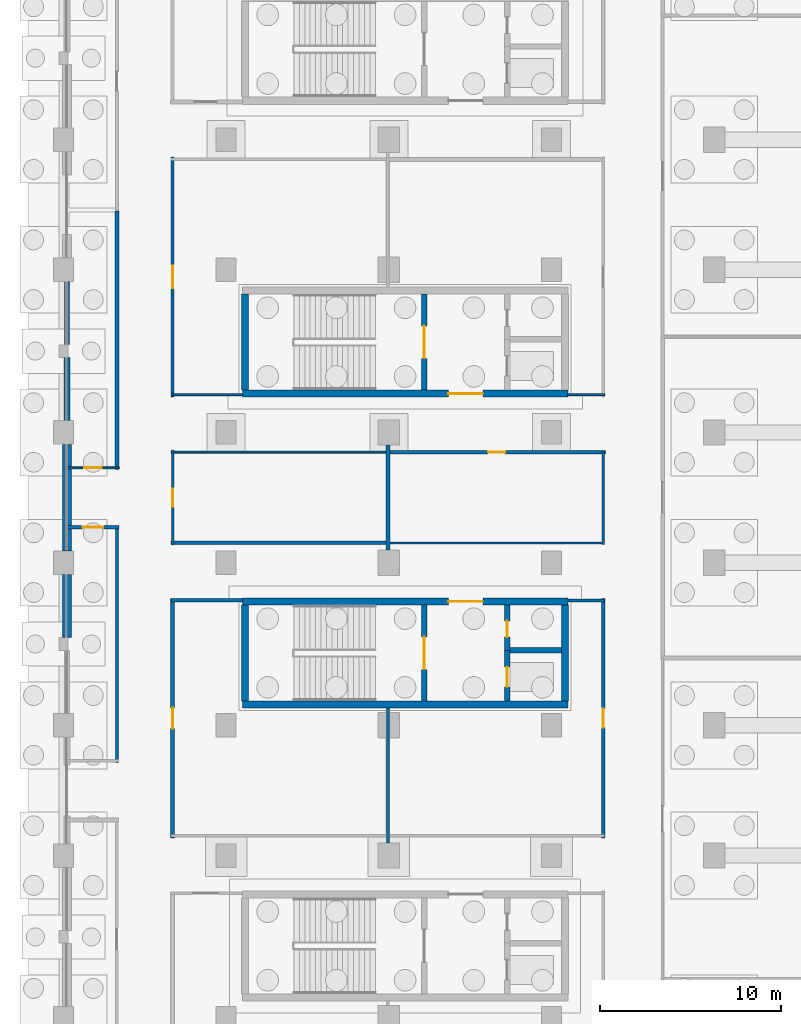
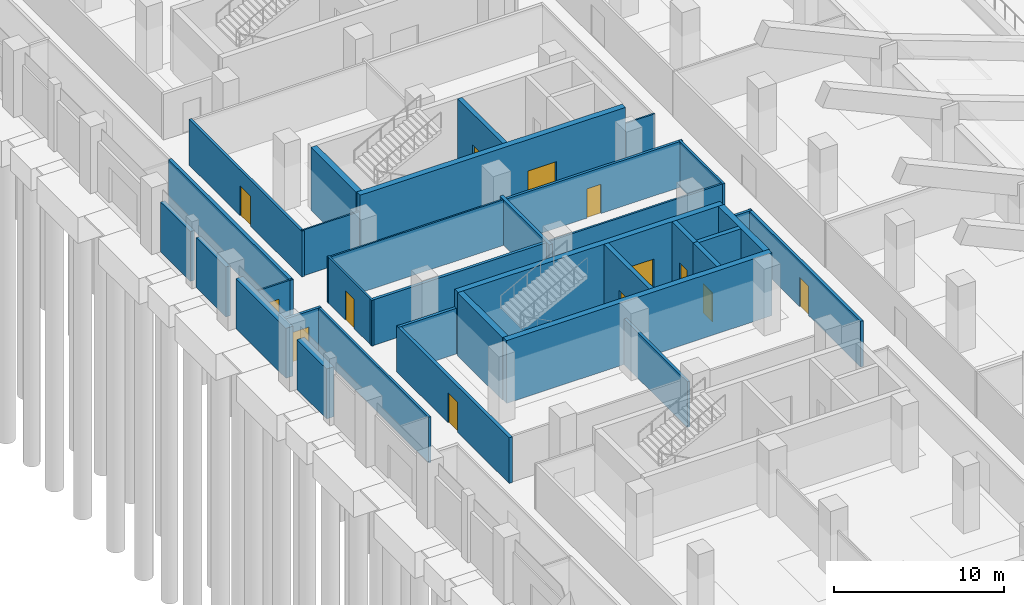
# One storey, part 19 of 53: 34 walls, 13 doors, 13 openings.
"""IFC4 building model written with IfcOpenShell, lengths in metres."""

from ifc_helpers import new_model, si_unit, direction, frame, frame_2d, origin, place, context, subcontext, project, spatial, rectangle, extrude, material, layer, layer_set, type_object, element, fill, save


model = new_model("IFC4")

# Units and contexts
model_context = context("Model", 3, precision=1e-05, world=origin(), true_north=direction((0.0, 1.0)))
body_context = subcontext(model_context, "Body", "Model", "MODEL_VIEW")
ifc_project = project(units=[si_unit("LENGTHUNIT", "METRE"), si_unit("AREAUNIT", "SQUARE_METRE"), si_unit("VOLUMEUNIT", "CUBIC_METRE"), si_unit("PLANEANGLEUNIT", "RADIAN"), si_unit("MASSUNIT", "GRAM", prefix="KILO"), si_unit("THERMODYNAMICTEMPERATUREUNIT", "KELVIN"), si_unit("POWERUNIT", "WATT")], contexts=[model_context])

# Site, building, storey
site_placement = place(None, origin())
site = spatial("IfcSite", under=ifc_project, at=site_placement, CompositionType="ELEMENT")
building_placement = place(site_placement, origin())
building = spatial("IfcBuilding", under=site, at=building_placement, Name="Sindhuravela Promenade Stadium", CompositionType="ELEMENT")
storey_placement = place(building_placement, origin())
storey = spatial("IfcBuildingStorey", under=building, at=storey_placement, Name="L00", CompositionType="ELEMENT", Elevation=0.0)

# Walls
ifc_material_1 = material(Name="Dholpur sandstone ashlar (45 MPa)", Category="masonry")
ifc_layer_1 = layer(ifc_material_1, 0.2900390625)
ifc_layer_set_1 = layer_set([ifc_layer_1], Name="Dholpur sandstone ashlar (45 MPa)")
wall_type_1 = type_object("IfcWallType", Name="EX-WL-SND290", PredefinedType="SOLIDWALL", material=ifc_layer_set_1)
wall_1_placement = place(storey_placement, frame((0.199951171875, 89.455078125, 0.0), z_axis=(0.0, 0.0, 1.0), x_axis=(0.0, 1.0, 0.0)))
element("IfcWall", 1, at=wall_1_placement, inside=storey, type_object=wall_type_1, Name="Exterior masonry wall EW10 WEST L00", PredefinedType="SOLIDWALL", context=body_context, shape_type="SweptSolid", body=[
    extrude(rectangle(XDim=3.489990234375, YDim=0.2900390625, at=frame_2d((1.7451171875, 0.0))), origin(), (0.0, 0.0, 1.0), 3.580078125),
])
ifc_layer_2 = layer(ifc_material_1, 0.31005859375)
ifc_layer_set_2 = layer_set([ifc_layer_2], Name="Dholpur sandstone ashlar (45 MPa)")
wall_type_2 = type_object("IfcWallType", Name="EX-WL-SND310", PredefinedType="SOLIDWALL", material=ifc_layer_set_2)
wall_2_placement = place(storey_placement, frame((0.199951171875, 85.2548828125, 0.0), z_axis=(0.0, 0.0, 1.0), x_axis=(0.0, 1.0, 0.0)))
element("IfcWall", 2, at=wall_2_placement, inside=storey, type_object=wall_type_2, Name="Exterior masonry wall EW09 WEST L00", PredefinedType="SOLIDWALL", context=body_context, shape_type="SweptSolid", body=[
    extrude(rectangle(XDim=3.490234375, YDim=0.31005859375, at=frame_2d((1.7451171875, 0.0))), origin(), (0.0, 0.0, 1.0), 3.580078125),
])
ifc_layer_3 = layer(ifc_material_1, 0.47998046875)
ifc_layer_set_3 = layer_set([ifc_layer_3], Name="Dholpur sandstone ashlar (45 MPa)")
wall_type_3 = type_object("IfcWallType", Name="EX-WL-SND480", PredefinedType="SOLIDWALL", material=ifc_layer_set_3)
wall_3_placement = place(storey_placement, frame((0.199951171875, 78.054931640625, 0.0), z_axis=(0.0, 0.0, 1.0), x_axis=(0.0, 1.0, 0.0)))
element("IfcWall", 3, at=wall_3_placement, inside=storey, type_object=wall_type_3, Name="Exterior masonry wall EW08 WEST L00", PredefinedType="SOLIDWALL", context=body_context, shape_type="SweptSolid", body=[
    extrude(rectangle(XDim=5.89013671875, YDim=0.47998046875, at=frame_2d((2.945068359375, 0.0))), origin(), (0.0, 0.0, 1.0), 3.580078125),
])
ifc_layer_4 = layer(ifc_material_1, 0.5)
ifc_layer_set_4 = layer_set([ifc_layer_4], Name="Dholpur sandstone ashlar (45 MPa)")
wall_type_4 = type_object("IfcWallType", Name="EX-WL-SND500", PredefinedType="SOLIDWALL", material=ifc_layer_set_4)
wall_4_placement = place(storey_placement, frame((0.199951171875, 73.2548828125, 0.0), z_axis=(0.0, 0.0, 1.0), x_axis=(0.0, 1.0, 0.0)))
element("IfcWall", 4, at=wall_4_placement, inside=storey, type_object=wall_type_4, Name="Exterior masonry wall EW07 WEST L00", PredefinedType="SOLIDWALL", context=body_context, shape_type="SweptSolid", body=[
    extrude(rectangle(XDim=3.490234375, YDim=0.5, at=frame_2d((1.7451171875, 0.0))), origin(), (0.0, 0.0, 1.0), 3.580078125),
])
ifc_material_2 = material(Name="Fire-rated gypsum partition board", Category="gypsum")
ifc_layer_5 = layer(ifc_material_2, 0.110107421875)
ifc_layer_set_5 = layer_set([ifc_layer_5], Name="Fire-rated gypsum partition board")
wall_type_5 = type_object("IfcWallType", Name="IN-WL-PAR110", PredefinedType="PARTITIONING", material=ifc_layer_set_5)
wall_5_placement = place(storey_placement, frame((9.89794921875, 86.68994140625, 0.0), z_axis=(0.0, 0.0, 1.0), x_axis=(-1.0, 0.0, 0.0)))
element("IfcWall", 5, at=wall_5_placement, inside=storey, type_object=wall_type_5, Name="Interior partition IW06 WEST L00", PredefinedType="PARTITIONING", context=body_context, shape_type="SweptSolid", body=[
    extrude(rectangle(XDim=3.93798828125, YDim=0.110107421875, at=frame_2d((1.968994140625, 0.0))), origin(), (0.0, 0.0, 1.0), 3.280029296875),
])
wall_6_placement = place(storey_placement, frame((29.93994140625, 86.68994140625, 0.0), z_axis=(0.0, 0.0, 1.0), x_axis=(-1.0, 0.0, 0.0)))
element("IfcWall", 6, at=wall_6_placement, inside=storey, type_object=wall_type_5, Name="Interior partition IW06 WEST L00", PredefinedType="PARTITIONING", context=body_context, shape_type="SweptSolid", body=[
    extrude(rectangle(XDim=2.037841796875, YDim=0.110107421875, at=frame_2d((1.01904296875, 0.0))), origin(), (0.0, 0.0, 1.0), 3.280029296875),
])
wall_7_placement = place(storey_placement, frame((5.9599609375, 83.510009765625, 0.0), z_axis=(0.0, 0.0, 1.0), x_axis=(1.0, 0.0, 0.0)))
element("IfcWall", 7, at=wall_7_placement, inside=storey, type_object=wall_type_5, Name="Interior partition IW06 WEST L00", PredefinedType="PARTITIONING", context=body_context, shape_type="SweptSolid", body=[
    extrude(rectangle(XDim=11.949951171875, YDim=0.110107421875, at=frame_2d((5.97509765625, 0.0))), origin(), (0.0, 0.0, 1.0), 3.280029296875),
])

# Wall, opening, door
wall_8_placement = place(storey_placement, frame((0.199951171875, 82.639892578125, 0.0), z_axis=(0.0, 0.0, 1.0), x_axis=(1.0, 0.0, 0.0)))
wall_8 = element("IfcWall", 8, at=wall_8_placement, inside=storey, type_object=wall_type_5, Name="Corridor partition IW06 Anti-Doping Testing Suite 6", PredefinedType="PARTITIONING", context=body_context, shape_type="SweptSolid", body=[
    extrude(rectangle(XDim=2.880126953125, YDim=0.110107421875, at=frame_2d((1.43994140625, 0.0))), origin(), (0.0, 0.0, 1.0), 3.280029296875),
])
opening_1_placement = place(wall_8_placement, frame((0.965087890625, 0.0, 0.0)))
opening_1 = element("IfcOpeningElement", 9, at=opening_1_placement, cuts=wall_8, Name="Opening ID10", PredefinedType="OPENING", context=body_context, shape_type="SweptSolid", body=[
    extrude(rectangle(XDim=0.949951171875, YDim=2.179931640625, at=frame_2d((0.47509765625, 1.08984375))), frame((0.0, 0.06494140625, 0.0), z_axis=(0.0, -1.0, 0.0), x_axis=(1.0, 0.0, 0.0)), (0.0, 0.0, 1.0), 0.130126953125),
])
ifc_material_3 = material(Name="Architectural teak timber leaf", Category="wood")
door_type_1 = type_object("IfcDoorType", Name="DR-INT-950x2180", OperationType="NOTDEFINED", PredefinedType="DOOR", material=ifc_material_3)
door_1_placement = place(opening_1_placement, origin())
door_1 = element("IfcDoor", 10, at=door_1_placement, inside=storey, type_object=door_type_1, Name="Anti-Doping Testing Suite 6 door", OperationType="SINGLE_SWING_LEFT", OverallHeight=2.179931640625, OverallWidth=0.949951171875, PredefinedType="DOOR", context=body_context, shape_type="SweptSolid", body=[
    extrude(rectangle(XDim=0.949951171875, YDim=2.179931640625, at=frame_2d((0.47509765625, 1.08984375))), frame((0.0, 0.02490234375, 0.0), z_axis=(0.0, -1.0, 0.0), x_axis=(1.0, 0.0, 0.0)), (0.0, 0.0, 1.0), 0.050048828125),
])
fill(opening_1, door_1)

ifc_layer_6 = layer(ifc_material_2, 0.1298828125)
ifc_layer_set_6 = layer_set([ifc_layer_6], Name="Fire-rated gypsum partition board")
wall_type_6 = type_object("IfcWallType", Name="IN-WL-PAR130", PredefinedType="PARTITIONING", material=ifc_layer_set_6)
wall_9_placement = place(storey_placement, frame((6.0400390625, 83.6298828125, 0.0), z_axis=(0.0, 0.0, 1.0), x_axis=(0.0, -1.0, 0.0)))
wall_9 = element("IfcWall", 11, at=wall_9_placement, inside=storey, type_object=wall_type_6, Name="Corridor partition IW05 Match Officials Suite 4", PredefinedType="PARTITIONING", context=body_context, shape_type="SweptSolid", body=[
    extrude(rectangle(XDim=5.259765625, YDim=0.1298828125, at=frame_2d((2.6298828125, 0.0))), origin(), (0.0, 0.0, 1.0), 3.280029296875),
])
opening_2_placement = place(wall_9_placement, frame((2.1298828125, 0.0, 0.0)))
opening_2 = element("IfcOpeningElement", 12, at=opening_2_placement, cuts=wall_9, Name="Opening ID08", PredefinedType="OPENING", context=body_context, shape_type="SweptSolid", body=[
    extrude(rectangle(XDim=1.0, YDim=2.10009765625, at=frame_2d((0.5, 1.050048828125))), frame((0.0, 0.074951171875, 0.0), z_axis=(0.0, -1.0, 0.0), x_axis=(1.0, 0.0, 0.0)), (0.0, 0.0, 1.0), 0.14990234375),
])
door_type_2 = type_object("IfcDoorType", Name="DR-INT-1000x2100", OperationType="NOTDEFINED", PredefinedType="DOOR", material=ifc_material_3)
door_2_placement = place(opening_2_placement, origin())
door_2 = element("IfcDoor", 13, at=door_2_placement, inside=storey, type_object=door_type_2, Name="Match Officials Suite 4 door", OperationType="SINGLE_SWING_LEFT", OverallHeight=2.10009765625, OverallWidth=1.0, PredefinedType="DOOR", context=body_context, shape_type="SweptSolid", body=[
    extrude(rectangle(XDim=1.0, YDim=2.10009765625, at=frame_2d((0.5, 1.050048828125))), frame((0.0, 0.02490234375, 0.0), z_axis=(0.0, -1.0, 0.0), x_axis=(1.0, 0.0, 0.0)), (0.0, 0.0, 1.0), 0.050048828125),
])
fill(opening_2, door_2)

# Walls
wall_10_placement = place(storey_placement, frame((29.93994140625, 78.489990234375, 0.0), z_axis=(0.0, 0.0, 1.0), x_axis=(-1.0, 0.0, 0.0)))
element("IfcWall", 14, at=wall_10_placement, inside=storey, type_object=wall_type_6, Name="Interior partition IW05 WEST L00", PredefinedType="PARTITIONING", context=body_context, shape_type="SweptSolid", body=[
    extrude(rectangle(XDim=11.949951171875, YDim=0.1298828125, at=frame_2d((5.97509765625, 0.0))), origin(), (0.0, 0.0, 1.0), 3.280029296875),
])
ifc_layer_7 = layer(ifc_material_2, 0.14990234375)
ifc_layer_set_7 = layer_set([ifc_layer_7], Name="Fire-rated gypsum partition board")
wall_type_7 = type_object("IfcWallType", Name="IN-WL-PAR150", PredefinedType="PARTITIONING", material=ifc_layer_set_7)
wall_11_placement = place(storey_placement, frame((29.860107421875, 83.590087890625, 0.0), z_axis=(0.0, 0.0, 1.0), x_axis=(0.0, -1.0, 0.0)))
element("IfcWall", 15, at=wall_11_placement, inside=storey, type_object=wall_type_7, Name="Interior partition IW04 WEST L00", PredefinedType="PARTITIONING", context=body_context, shape_type="SweptSolid", body=[
    extrude(rectangle(XDim=5.18017578125, YDim=0.14990234375, at=frame_2d((2.590087890625, 0.0))), origin(), (0.0, 0.0, 1.0), 3.280029296875),
])
wall_12_placement = place(storey_placement, frame((2.9599609375, 79.43994140625, 0.0), z_axis=(0.0, 0.0, 1.0), x_axis=(0.0, -1.0, 0.0)))
element("IfcWall", 16, at=wall_12_placement, inside=storey, type_object=wall_type_7, Name="Interior partition IW04 WEST L00", PredefinedType="PARTITIONING", context=body_context, shape_type="SweptSolid", body=[
    extrude(rectangle(XDim=13.079833984375, YDim=0.14990234375, at=frame_2d((6.5400390625, 0.0))), origin(), (0.0, 0.0, 1.0), 3.280029296875),
])

# Wall, opening, door
ifc_layer_8 = layer(ifc_material_2, 0.175048828125)
ifc_layer_set_8 = layer_set([ifc_layer_8], Name="Fire-rated gypsum partition board")
wall_type_8 = type_object("IfcWallType", Name="IN-WL-PAR175", PredefinedType="PARTITIONING", material=ifc_layer_set_8)
wall_13_placement = place(storey_placement, frame((6.0400390625, 99.830078125, 0.0), z_axis=(0.0, 0.0, 1.0), x_axis=(0.0, -1.0, 0.0)))
wall_13 = element("IfcWall", 17, at=wall_13_placement, inside=storey, type_object=wall_type_8, Name="Corridor partition IW03 Accessible WC West L00", PredefinedType="PARTITIONING", context=body_context, shape_type="SweptSolid", body=[
    extrude(rectangle(XDim=13.260009765625, YDim=0.175048828125, at=frame_2d((6.6298828125, 0.0))), origin(), (0.0, 0.0, 1.0), 3.280029296875),
])
opening_3_placement = place(wall_13_placement, frame((6.0048828125, 0.0, 0.0)))
opening_3 = element("IfcOpeningElement", 18, at=opening_3_placement, cuts=wall_13, Name="Opening ID04", PredefinedType="OPENING", context=body_context, shape_type="SweptSolid", body=[
    extrude(rectangle(XDim=1.25, YDim=2.14990234375, at=frame_2d((0.625, 1.074951171875))), frame((0.0, 0.097412109375, 0.0), z_axis=(0.0, -1.0, 0.0), x_axis=(1.0, 0.0, 0.0)), (0.0, 0.0, 1.0), 0.195068359375),
])
door_type_3 = type_object("IfcDoorType", Name="DR-INT-1250x2150", OperationType="NOTDEFINED", PredefinedType="DOOR", material=ifc_material_3)
door_3_placement = place(opening_3_placement, origin())
door_3 = element("IfcDoor", 19, at=door_3_placement, inside=storey, type_object=door_type_3, Name="Accessible WC West L00 door", OperationType="SINGLE_SWING_LEFT", OverallHeight=2.14990234375, OverallWidth=1.25, PredefinedType="DOOR", context=body_context, shape_type="SweptSolid", body=[
    extrude(rectangle(XDim=1.25, YDim=2.14990234375, at=frame_2d((0.625, 1.074951171875))), frame((0.0, 0.02490234375, 0.0), z_axis=(0.0, -1.0, 0.0), x_axis=(1.0, 0.0, 0.0)), (0.0, 0.0, 1.0), 0.050048828125),
])
fill(opening_3, door_3)

# Walls
wall_14_placement = place(storey_placement, frame((17.949951171875, 69.347900390625, 0.0), z_axis=(0.0, 0.0, 1.0), x_axis=(0.0, -1.0, 0.0)))
element("IfcWall", 20, at=wall_14_placement, inside=storey, type_object=wall_type_8, Name="Interior partition IW03 WEST L00", PredefinedType="PARTITIONING", context=body_context, shape_type="SweptSolid", body=[
    extrude(rectangle(XDim=7.44580078125, YDim=0.175048828125, at=frame_2d((3.722900390625, 0.0))), origin(), (0.0, 0.0, 1.0), 3.280029296875),
])
wall_15_placement = place(storey_placement, frame((27.902099609375, 75.31005859375, 0.0), z_axis=(0.0, 0.0, 1.0), x_axis=(1.0, 0.0, 0.0)))
element("IfcWall", 21, at=wall_15_placement, inside=storey, type_object=wall_type_8, Name="Interior partition IW03 WEST L00", PredefinedType="PARTITIONING", context=body_context, shape_type="SweptSolid", body=[
    extrude(rectangle(XDim=2.037841796875, YDim=0.175048828125, at=frame_2d((1.01904296875, 0.0))), origin(), (0.0, 0.0, 1.0), 3.280029296875),
])

# Wall, opening, door
wall_16_placement = place(storey_placement, frame((29.97998046875, 83.510009765625, 0.0), z_axis=(0.0, 0.0, 1.0), x_axis=(-1.0, 0.0, 0.0)))
wall_16 = element("IfcWall", 22, at=wall_16_placement, inside=storey, type_object=wall_type_8, Name="Corridor partition IW03 Medical and First Aid Clinic 5", PredefinedType="PARTITIONING", context=body_context, shape_type="SweptSolid", body=[
    extrude(rectangle(XDim=12.030029296875, YDim=0.175048828125, at=frame_2d((6.01513671875, 0.0))), origin(), (0.0, 0.0, 1.0), 3.280029296875),
])
opening_4_placement = place(wall_16_placement, frame((5.5400390625, 0.0, 0.0)))
opening_4 = element("IfcOpeningElement", 23, at=opening_4_placement, cuts=wall_16, Name="Opening ID09", PredefinedType="OPENING", context=body_context, shape_type="SweptSolid", body=[
    extrude(rectangle(XDim=0.949951171875, YDim=2.10009765625, at=frame_2d((0.47509765625, 1.050048828125))), frame((0.0, 0.097412109375, 0.0), z_axis=(0.0, -1.0, 0.0), x_axis=(1.0, 0.0, 0.0)), (0.0, 0.0, 1.0), 0.195068359375),
])
door_type_4 = type_object("IfcDoorType", Name="DR-INT-950x2100", OperationType="NOTDEFINED", PredefinedType="DOOR", material=ifc_material_3)
door_4_placement = place(opening_4_placement, origin())
door_4 = element("IfcDoor", 24, at=door_4_placement, inside=storey, type_object=door_type_4, Name="Medical and First Aid Clinic 5 door", OperationType="SINGLE_SWING_RIGHT", OverallHeight=2.10009765625, OverallWidth=0.949951171875, PredefinedType="DOOR", context=body_context, shape_type="SweptSolid", body=[
    extrude(rectangle(XDim=0.949951171875, YDim=2.10009765625, at=frame_2d((0.47509765625, 1.050048828125))), frame((0.0, 0.02490234375, 0.0), z_axis=(0.0, -1.0, 0.0), x_axis=(1.0, 0.0, 0.0)), (0.0, 0.0, 1.0), 0.050048828125),
])
fill(opening_4, door_4)

wall_17_placement = place(storey_placement, frame((3.080078125, 79.360107421875, 0.0), z_axis=(0.0, 0.0, 1.0), x_axis=(-1.0, 0.0, 0.0)))
wall_17 = element("IfcWall", 25, at=wall_17_placement, inside=storey, type_object=wall_type_8, Name="Corridor partition IW03 Home Team Changing Suite 11", PredefinedType="PARTITIONING", context=body_context, shape_type="SweptSolid", body=[
    extrude(rectangle(XDim=2.880126953125, YDim=0.175048828125, at=frame_2d((1.43994140625, 0.0))), origin(), (0.0, 0.0, 1.0), 3.280029296875),
])
opening_5_placement = place(wall_17_placement, frame((0.864990234375, 0.0, 0.0)))
opening_5 = element("IfcOpeningElement", 26, at=opening_5_placement, cuts=wall_17, Name="Opening ID05", PredefinedType="OPENING", context=body_context, shape_type="SweptSolid", body=[
    extrude(rectangle(XDim=1.14990234375, YDim=2.14990234375, at=frame_2d((0.574951171875, 1.074951171875))), frame((0.0, 0.097412109375, 0.0), z_axis=(0.0, -1.0, 0.0), x_axis=(1.0, 0.0, 0.0)), (0.0, 0.0, 1.0), 0.195068359375),
])
door_type_5 = type_object("IfcDoorType", Name="DR-INT-1150x2150", OperationType="NOTDEFINED", PredefinedType="DOOR", material=ifc_material_3)
door_5_placement = place(opening_5_placement, origin())
door_5 = element("IfcDoor", 27, at=door_5_placement, inside=storey, type_object=door_type_5, Name="Home Team Changing Suite 11 door", OperationType="SINGLE_SWING_RIGHT", OverallHeight=2.14990234375, OverallWidth=1.14990234375, PredefinedType="DOOR", context=body_context, shape_type="SweptSolid", body=[
    extrude(rectangle(XDim=1.14990234375, YDim=2.14990234375, at=frame_2d((0.574951171875, 1.074951171875))), frame((0.0, 0.02490234375, 0.0), z_axis=(0.0, -1.0, 0.0), x_axis=(1.0, 0.0, 0.0)), (0.0, 0.0, 1.0), 0.050048828125),
])
fill(opening_5, door_5)

# Wall
ifc_layer_9 = layer(ifc_material_2, 0.195068359375)
ifc_layer_set_9 = layer_set([ifc_layer_9], Name="Fire-rated gypsum partition board")
wall_type_9 = type_object("IfcWallType", Name="IN-WL-PAR195", PredefinedType="PARTITIONING", material=ifc_layer_set_9)
wall_18_placement = place(storey_placement, frame((5.9599609375, 75.31005859375, 0.0), z_axis=(0.0, 0.0, 1.0), x_axis=(1.0, 0.0, 0.0)))
element("IfcWall", 28, at=wall_18_placement, inside=storey, type_object=wall_type_9, Name="Interior partition IW02 WEST L00", PredefinedType="PARTITIONING", context=body_context, shape_type="SweptSolid", body=[
    extrude(rectangle(XDim=3.93798828125, YDim=0.195068359375, at=frame_2d((1.968994140625, 0.0))), origin(), (0.0, 0.0, 1.0), 3.280029296875),
])

# Wall, opening, door
wall_19_placement = place(storey_placement, frame((29.860107421875, 62.169921875, 0.0), z_axis=(0.0, 0.0, 1.0), x_axis=(0.0, 1.0, 0.0)))
wall_19 = element("IfcWall", 29, at=wall_19_placement, inside=storey, type_object=wall_type_9, Name="Corridor partition IW02 Away Team Changing Suite 3", PredefinedType="PARTITIONING", context=body_context, shape_type="SweptSolid", body=[
    extrude(rectangle(XDim=13.260009765625, YDim=0.195068359375, at=frame_2d((6.6298828125, 0.0))), origin(), (0.0, 0.0, 1.0), 3.280029296875),
])
opening_6_placement = place(wall_19_placement, frame((6.10498046875, 0.0, 0.0)))
opening_6 = element("IfcOpeningElement", 30, at=opening_6_placement, cuts=wall_19, Name="Opening ID07", PredefinedType="OPENING", context=body_context, shape_type="SweptSolid", body=[
    extrude(rectangle(XDim=1.050048828125, YDim=2.10009765625, at=frame_2d((0.52490234375, 1.050048828125))), frame((0.0, 0.107421875, 0.0), z_axis=(0.0, -1.0, 0.0), x_axis=(1.0, 0.0, 0.0)), (0.0, 0.0, 1.0), 0.215087890625),
])
door_type_6 = type_object("IfcDoorType", Name="DR-INT-1050x2100", OperationType="NOTDEFINED", PredefinedType="DOOR", material=ifc_material_3)
door_6_placement = place(opening_6_placement, origin())
door_6 = element("IfcDoor", 31, at=door_6_placement, inside=storey, type_object=door_type_6, Name="Away Team Changing Suite 3 door", OperationType="SINGLE_SWING_RIGHT", OverallHeight=2.10009765625, OverallWidth=1.050048828125, PredefinedType="DOOR", context=body_context, shape_type="SweptSolid", body=[
    extrude(rectangle(XDim=1.050048828125, YDim=2.10009765625, at=frame_2d((0.52490234375, 1.050048828125))), frame((0.0, 0.02490234375, 0.0), z_axis=(0.0, -1.0, 0.0), x_axis=(1.0, 0.0, 0.0)), (0.0, 0.0, 1.0), 0.050048828125),
])
fill(opening_6, door_6)

# Wall
wall_20_placement = place(storey_placement, frame((17.909912109375, 78.489990234375, 0.0), z_axis=(0.0, 0.0, 1.0), x_axis=(-1.0, 0.0, 0.0)))
element("IfcWall", 32, at=wall_20_placement, inside=storey, type_object=wall_type_9, Name="Interior partition IW02 WEST L00", PredefinedType="PARTITIONING", context=body_context, shape_type="SweptSolid", body=[
    extrude(rectangle(XDim=11.949951171875, YDim=0.195068359375, at=frame_2d((5.97509765625, 0.0))), origin(), (0.0, 0.0, 1.0), 3.280029296875),
])

# Wall, opening, door
ifc_layer_10 = layer(ifc_material_2, 0.219970703125)
ifc_layer_set_10 = layer_set([ifc_layer_10], Name="Fire-rated gypsum partition board")
wall_type_10 = type_object("IfcWallType", Name="IN-WL-PAR220", PredefinedType="PARTITIONING", material=ifc_layer_set_10)
wall_21_placement = place(storey_placement, frame((6.0400390625, 75.429931640625, 0.0), z_axis=(0.0, 0.0, 1.0), x_axis=(0.0, -1.0, 0.0)))
wall_21 = element("IfcWall", 33, at=wall_21_placement, inside=storey, type_object=wall_type_10, Name="Corridor partition IW01 Team Shower and Sanitary Block", PredefinedType="PARTITIONING", context=body_context, shape_type="SweptSolid", body=[
    extrude(rectangle(XDim=13.260009765625, YDim=0.219970703125, at=frame_2d((6.6298828125, 0.0))), origin(), (0.0, 0.0, 1.0), 3.280029296875),
])
opening_7_placement = place(wall_21_placement, frame((6.054931640625, 0.0, 0.0)))
opening_7 = element("IfcOpeningElement", 34, at=opening_7_placement, cuts=wall_21, Name="Opening ID05", PredefinedType="OPENING", context=body_context, shape_type="SweptSolid", body=[
    extrude(rectangle(XDim=1.14990234375, YDim=2.14990234375, at=frame_2d((0.574951171875, 1.074951171875))), frame((0.0, 0.119873046875, 0.0), z_axis=(0.0, -1.0, 0.0), x_axis=(1.0, 0.0, 0.0)), (0.0, 0.0, 1.0), 0.239990234375),
])
door_7_placement = place(opening_7_placement, origin())
door_7 = element("IfcDoor", 35, at=door_7_placement, inside=storey, type_object=door_type_5, Name="Team Shower and Sanitary Block door", OperationType="SINGLE_SWING_RIGHT", OverallHeight=2.14990234375, OverallWidth=1.14990234375, PredefinedType="DOOR", context=body_context, shape_type="SweptSolid", body=[
    extrude(rectangle(XDim=1.14990234375, YDim=2.14990234375, at=frame_2d((0.574951171875, 1.074951171875))), frame((0.0, 0.02490234375, 0.0), z_axis=(0.0, -1.0, 0.0), x_axis=(1.0, 0.0, 0.0)), (0.0, 0.0, 1.0), 0.050048828125),
])
fill(opening_7, door_7)

# Walls
wall_22_placement = place(storey_placement, frame((17.949951171875, 83.89794921875, 0.0), z_axis=(0.0, 0.0, 1.0), x_axis=(0.0, -1.0, 0.0)))
element("IfcWall", 36, at=wall_22_placement, inside=storey, type_object=wall_type_10, Name="Interior partition IW01 WEST L00", PredefinedType="PARTITIONING", context=body_context, shape_type="SweptSolid", body=[
    extrude(rectangle(XDim=5.7958984375, YDim=0.219970703125, at=frame_2d((2.89794921875, 0.0))), origin(), (0.0, 0.0, 1.0), 3.280029296875),
])
wall_23_placement = place(storey_placement, frame((2.9599609375, 96.86328125, 0.0), z_axis=(0.0, 0.0, 1.0), x_axis=(0.0, -1.0, 0.0)))
element("IfcWall", 37, at=wall_23_placement, inside=storey, type_object=wall_type_10, Name="Interior partition IW01 WEST L00", PredefinedType="PARTITIONING", context=body_context, shape_type="SweptSolid", body=[
    extrude(rectangle(XDim=14.30322265625, YDim=0.219970703125, at=frame_2d((7.151611328125, 0.0))), origin(), (0.0, 0.0, 1.0), 3.280029296875),
])

# Wall, opening, door
ifc_material_4 = material(Name="Concrete M50", Category="concrete")
ifc_layer_11 = layer(ifc_material_4, 0.300048828125)
ifc_layer_set_11 = layer_set([ifc_layer_11], Name="Concrete M50")
wall_type_11 = type_object("IfcWallType", Name="RC-SW-300", PredefinedType="SHEAR", material=ifc_layer_set_11)
wall_24_placement = place(storey_placement, frame((19.949951171875, 69.75, 0.0), z_axis=(0.0, 0.0, 1.0), x_axis=(0.0, 1.0, 0.0)))
wall_24 = element("IfcWall", 38, at=wall_24_placement, inside=storey, type_object=wall_type_11, Name="Core shear wall C02-ST (L00)", PredefinedType="SHEAR", context=body_context, shape_type="SweptSolid", body=[
    extrude(rectangle(XDim=5.300048828125, YDim=0.300048828125, at=frame_2d((2.64990234375, 0.0))), origin(), (0.0, 0.0, 1.0), 4.5),
])
opening_8_placement = place(wall_24_placement, frame((1.75, 0.0, 0.0)))
opening_8 = element("IfcOpeningElement", 39, at=opening_8_placement, cuts=wall_24, Name="Opening FD01", PredefinedType="OPENING", context=body_context, shape_type="SweptSolid", body=[
    extrude(rectangle(XDim=1.800048828125, YDim=2.25, at=frame_2d((0.89990234375, 1.125))), frame((0.0, 0.159912109375, 0.0), z_axis=(0.0, -1.0, 0.0), x_axis=(1.0, 0.0, 0.0)), (0.0, 0.0, 1.0), 0.320068359375),
])
ifc_material_5 = material(Name="Architectural wrought steel E350", Category="steel")
door_type_7 = type_object("IfcDoorType", Name="DR-CORE-1800x2250", OperationType="DOUBLE_DOOR_SINGLE_SWING", PredefinedType="DOOR", material=ifc_material_5)
door_8_placement = place(opening_8_placement, origin())
door_8 = element("IfcDoor", 40, at=door_8_placement, inside=storey, type_object=door_type_7, Name="Stair ST02 lobby fire door (L00)", OperationType="DOUBLE_DOOR_SINGLE_SWING", OverallHeight=2.25, OverallWidth=1.800048828125, PredefinedType="DOOR", context=body_context, shape_type="SweptSolid", body=[
    extrude(rectangle(XDim=1.800048828125, YDim=2.25, at=frame_2d((0.89990234375, 1.125))), frame((0.0, 0.02490234375, 0.0), z_axis=(0.0, -1.0, 0.0), x_axis=(1.0, 0.0, 0.0)), (0.0, 0.0, 1.0), 0.050048828125),
])
fill(opening_8, door_8)

wall_25_placement = place(storey_placement, frame((24.550048828125, 69.75, 0.0), z_axis=(0.0, 0.0, 1.0), x_axis=(0.0, 1.0, 0.0)))
wall_25 = element("IfcWall", 41, at=wall_25_placement, inside=storey, type_object=wall_type_11, Name="Core shear wall C02-LFT (L00)", PredefinedType="SHEAR", context=body_context, shape_type="SweptSolid", body=[
    extrude(rectangle(XDim=2.800048828125, YDim=0.300048828125, at=frame_2d((1.39990234375, 0.0))), origin(), (0.0, 0.0, 1.0), 4.5),
])
opening_9_placement = place(wall_25_placement, frame((0.77490234375, 0.0, 0.0)))
opening_9 = element("IfcOpeningElement", 42, at=opening_9_placement, cuts=wall_25, Name="Opening LD", PredefinedType="OPENING", context=body_context, shape_type="SweptSolid", body=[
    extrude(rectangle(XDim=1.10009765625, YDim=2.10009765625, at=frame_2d((0.550048828125, 1.050048828125))), frame((0.0, 0.159912109375, 0.0), z_axis=(0.0, -1.0, 0.0), x_axis=(1.0, 0.0, 0.0)), (0.0, 0.0, 1.0), 0.320068359375),
])
door_type_8 = type_object("IfcDoorType", Name="DR-LFT-1100x2100", OperationType="DOUBLE_DOOR_SLIDING", PredefinedType="DOOR", material=ifc_material_5)
door_9_placement = place(opening_9_placement, origin())
door_9 = element("IfcDoor", 43, at=door_9_placement, inside=storey, type_object=door_type_8, Name="Lift FL02 landing door (L00)", OperationType="DOUBLE_DOOR_SLIDING", OverallHeight=2.10009765625, OverallWidth=1.10009765625, PredefinedType="DOOR", context=body_context, shape_type="SweptSolid", body=[
    extrude(rectangle(XDim=1.10009765625, YDim=2.10009765625, at=frame_2d((0.550048828125, 1.050048828125))), frame((0.0, 0.02490234375, 0.0), z_axis=(0.0, -1.0, 0.0), x_axis=(1.0, 0.0, 0.0)), (0.0, 0.0, 1.0), 0.050048828125),
])
fill(opening_9, door_9)

wall_26_placement = place(storey_placement, frame((24.550048828125, 72.550048828125, 0.0), z_axis=(0.0, 0.0, 1.0), x_axis=(0.0, 1.0, 0.0)))
wall_26 = element("IfcWall", 44, at=wall_26_placement, inside=storey, type_object=wall_type_11, Name="Core shear wall C02-RSR (L00)", PredefinedType="SHEAR", context=body_context, shape_type="SweptSolid", body=[
    extrude(rectangle(XDim=2.5, YDim=0.300048828125, at=frame_2d((1.25, 0.0))), origin(), (0.0, 0.0, 1.0), 4.5),
])
opening_10_placement = place(wall_26_placement, frame((0.72509765625, 0.0, 0.0)))
opening_10 = element("IfcOpeningElement", 45, at=opening_10_placement, cuts=wall_26, Name="Opening FD03", PredefinedType="OPENING", context=body_context, shape_type="SweptSolid", body=[
    extrude(rectangle(XDim=0.89990234375, YDim=2.10009765625, at=frame_2d((0.449951171875, 1.050048828125))), frame((0.0, 0.159912109375, 0.0), z_axis=(0.0, -1.0, 0.0), x_axis=(1.0, 0.0, 0.0)), (0.0, 0.0, 1.0), 0.320068359375),
])
door_type_9 = type_object("IfcDoorType", Name="DR-RSR-900x2100", OperationType="NOTDEFINED", PredefinedType="DOOR", material=ifc_material_5)
door_10_placement = place(opening_10_placement, origin())
door_10 = element("IfcDoor", 46, at=door_10_placement, inside=storey, type_object=door_type_9, Name="Riser shaft access door C02 (L00)", OperationType="SINGLE_SWING_LEFT", OverallHeight=2.10009765625, OverallWidth=0.89990234375, PredefinedType="DOOR", context=body_context, shape_type="SweptSolid", body=[
    extrude(rectangle(XDim=0.89990234375, YDim=2.10009765625, at=frame_2d((0.449951171875, 1.050048828125))), frame((0.0, 0.02490234375, 0.0), z_axis=(0.0, -1.0, 0.0), x_axis=(1.0, 0.0, 0.0)), (0.0, 0.0, 1.0), 0.050048828125),
])
fill(opening_10, door_10)

# Wall
wall_27_placement = place(storey_placement, frame((24.699951171875, 72.550048828125, 0.0), z_axis=(0.0, 0.0, 1.0), x_axis=(1.0, 0.0, 0.0)))
element("IfcWall", 47, at=wall_27_placement, inside=storey, type_object=wall_type_11, Name="Core shear wall C02-DIV (L00)", PredefinedType="SHEAR", context=body_context, shape_type="SweptSolid", body=[
    extrude(rectangle(XDim=2.85009765625, YDim=0.300048828125, at=frame_2d((1.425048828125, 0.0))), origin(), (0.0, 0.0, 1.0), 4.5),
])

# Wall, opening, door
wall_28_placement = place(storey_placement, frame((19.949951171875, 86.949951171875, 0.0), z_axis=(0.0, 0.0, 1.0), x_axis=(0.0, 1.0, 0.0)))
wall_28 = element("IfcWall", 48, at=wall_28_placement, inside=storey, type_object=wall_type_11, Name="Core shear wall C03-ST (L00)", PredefinedType="SHEAR", context=body_context, shape_type="SweptSolid", body=[
    extrude(rectangle(XDim=5.300048828125, YDim=0.300048828125, at=frame_2d((2.64990234375, 0.0))), origin(), (0.0, 0.0, 1.0), 4.5),
])
opening_11_placement = place(wall_28_placement, frame((1.75, 0.0, 0.0)))
opening_11 = element("IfcOpeningElement", 49, at=opening_11_placement, cuts=wall_28, Name="Opening FD01", PredefinedType="OPENING", context=body_context, shape_type="SweptSolid", body=[
    extrude(rectangle(XDim=1.800048828125, YDim=2.25, at=frame_2d((0.89990234375, 1.125))), frame((0.0, 0.159912109375, 0.0), z_axis=(0.0, -1.0, 0.0), x_axis=(1.0, 0.0, 0.0)), (0.0, 0.0, 1.0), 0.320068359375),
])
door_11_placement = place(opening_11_placement, origin())
door_11 = element("IfcDoor", 50, at=door_11_placement, inside=storey, type_object=door_type_7, Name="Stair ST03 lobby fire door (L00)", OperationType="DOUBLE_DOOR_SINGLE_SWING", OverallHeight=2.25, OverallWidth=1.800048828125, PredefinedType="DOOR", context=body_context, shape_type="SweptSolid", body=[
    extrude(rectangle(XDim=1.800048828125, YDim=2.25, at=frame_2d((0.89990234375, 1.125))), frame((0.0, 0.02490234375, 0.0), z_axis=(0.0, -1.0, 0.0), x_axis=(1.0, 0.0, 0.0)), (0.0, 0.0, 1.0), 0.050048828125),
])
fill(opening_11, door_11)

# Wall
ifc_layer_12 = layer(ifc_material_4, 0.39990234375)
ifc_layer_set_12 = layer_set([ifc_layer_12], Name="Concrete M50")
wall_type_12 = type_object("IfcWallType", Name="RC-SW-400", PredefinedType="SHEAR", material=ifc_layer_set_12)
wall_29_placement = place(storey_placement, frame((9.89990234375, 69.550048828125, 0.0), z_axis=(0.0, 0.0, 1.0), x_axis=(1.0, 0.0, 0.0)))
element("IfcWall", 51, at=wall_29_placement, inside=storey, type_object=wall_type_12, Name="Core shear wall C02-S (L00)", PredefinedType="SHEAR", context=body_context, shape_type="SweptSolid", body=[
    extrude(rectangle(XDim=18.0, YDim=0.39990234375, at=frame_2d((9.0, 0.0))), origin(), (0.0, 0.0, 1.0), 4.5),
])

# Wall, opening, door
wall_30_placement = place(storey_placement, frame((27.89990234375, 75.25, 0.0), z_axis=(0.0, 0.0, 1.0), x_axis=(-1.0, 0.0, 0.0)))
wall_30 = element("IfcWall", 52, at=wall_30_placement, inside=storey, type_object=wall_type_12, Name="Core shear wall C02-N (L00)", PredefinedType="SHEAR", context=body_context, shape_type="SweptSolid", body=[
    extrude(rectangle(XDim=18.0, YDim=0.39990234375, at=frame_2d((9.0, 0.0))), origin(), (0.0, 0.0, 1.0), 4.5),
])
opening_12_placement = place(wall_30_placement, frame((4.699951171875, 0.0, 0.0)))
opening_12 = element("IfcOpeningElement", 53, at=opening_12_placement, cuts=wall_30, Name="Opening FD02", PredefinedType="OPENING", context=body_context, shape_type="SweptSolid", body=[
    extrude(rectangle(XDim=1.89990234375, YDim=2.25, at=frame_2d((0.949951171875, 1.125))), frame((0.0, 0.2099609375, 0.0), z_axis=(0.0, -1.0, 0.0), x_axis=(1.0, 0.0, 0.0)), (0.0, 0.0, 1.0), 0.419921875),
])
door_type_10 = type_object("IfcDoorType", Name="DR-LOB-1900x2250", OperationType="DOUBLE_DOOR_SINGLE_SWING", PredefinedType="DOOR", material=ifc_material_5)
door_12_placement = place(opening_12_placement, origin())
door_12 = element("IfcDoor", 54, at=door_12_placement, inside=storey, type_object=door_type_10, Name="Protected lobby entrance door C02 (L00)", OperationType="DOUBLE_DOOR_SINGLE_SWING", OverallHeight=2.25, OverallWidth=1.89990234375, PredefinedType="DOOR", context=body_context, shape_type="SweptSolid", body=[
    extrude(rectangle(XDim=1.89990234375, YDim=2.25, at=frame_2d((0.949951171875, 1.125))), frame((0.0, 0.02490234375, 0.0), z_axis=(0.0, -1.0, 0.0), x_axis=(1.0, 0.0, 0.0)), (0.0, 0.0, 1.0), 0.050048828125),
])
fill(opening_12, door_12)

# Walls
for number, where, z_axis, x_axis, name in (
    (55, (10.050048828125, 75.050048828125, 0.0), (0.0, 0.0, 1.0), (0.0, -1.0, 0.0), "Core shear wall C02-W (L00)"),
    (56, (27.75, 69.75, 0.0), (0.0, 0.0, 1.0), (0.0, 1.0, 0.0), "Core shear wall C02-E (L00)"),
):
    element("IfcWall", number, at=place(storey_placement, frame(where, z_axis=z_axis, x_axis=x_axis)), inside=storey, type_object=wall_type_12, Name=name, PredefinedType="SHEAR", context=body_context, shape_type="SweptSolid", body=[
        extrude(rectangle(XDim=5.300048828125, YDim=0.39990234375, at=frame_2d((2.64990234375, 0.0))), origin(), (0.0, 0.0, 1.0), 4.5),
    ])

# Wall, opening, door
wall_31_placement = place(storey_placement, frame((9.89990234375, 86.75, 0.0), z_axis=(0.0, 0.0, 1.0), x_axis=(1.0, 0.0, 0.0)))
wall_31 = element("IfcWall", 57, at=wall_31_placement, inside=storey, type_object=wall_type_12, Name="Core shear wall C03-S (L00)", PredefinedType="SHEAR", context=body_context, shape_type="SweptSolid", body=[
    extrude(rectangle(XDim=18.0, YDim=0.39990234375, at=frame_2d((9.0, 0.0))), origin(), (0.0, 0.0, 1.0), 4.5),
])
opening_13_placement = place(wall_31_placement, frame((11.39990234375, 0.0, 0.0)))
opening_13 = element("IfcOpeningElement", 58, at=opening_13_placement, cuts=wall_31, Name="Opening FD02", PredefinedType="OPENING", context=body_context, shape_type="SweptSolid", body=[
    extrude(rectangle(XDim=1.89990234375, YDim=2.25, at=frame_2d((0.949951171875, 1.125))), frame((0.0, 0.2099609375, 0.0), z_axis=(0.0, -1.0, 0.0), x_axis=(1.0, 0.0, 0.0)), (0.0, 0.0, 1.0), 0.419921875),
])
door_13_placement = place(opening_13_placement, origin())
door_13 = element("IfcDoor", 59, at=door_13_placement, inside=storey, type_object=door_type_10, Name="Protected lobby entrance door C03 (L00)", OperationType="DOUBLE_DOOR_SINGLE_SWING", OverallHeight=2.25, OverallWidth=1.89990234375, PredefinedType="DOOR", context=body_context, shape_type="SweptSolid", body=[
    extrude(rectangle(XDim=1.89990234375, YDim=2.25, at=frame_2d((0.949951171875, 1.125))), frame((0.0, 0.02490234375, 0.0), z_axis=(0.0, -1.0, 0.0), x_axis=(1.0, 0.0, 0.0)), (0.0, 0.0, 1.0), 0.050048828125),
])
fill(opening_13, door_13)

# Wall
wall_32_placement = place(storey_placement, frame((10.050048828125, 92.25, 0.0), z_axis=(0.0, 0.0, 1.0), x_axis=(0.0, -1.0, 0.0)))
element("IfcWall", 60, at=wall_32_placement, inside=storey, type_object=wall_type_12, Name="Core shear wall C03-W (L00)", PredefinedType="SHEAR", context=body_context, shape_type="SweptSolid", body=[
    extrude(rectangle(XDim=5.300048828125, YDim=0.39990234375, at=frame_2d((2.64990234375, 0.0))), origin(), (0.0, 0.0, 1.0), 4.5),
])

save(model, "model.ifc")
